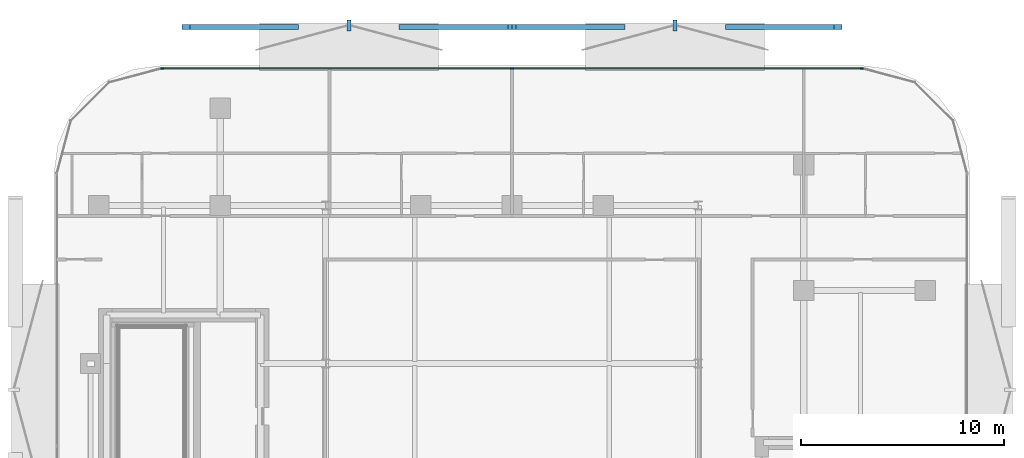
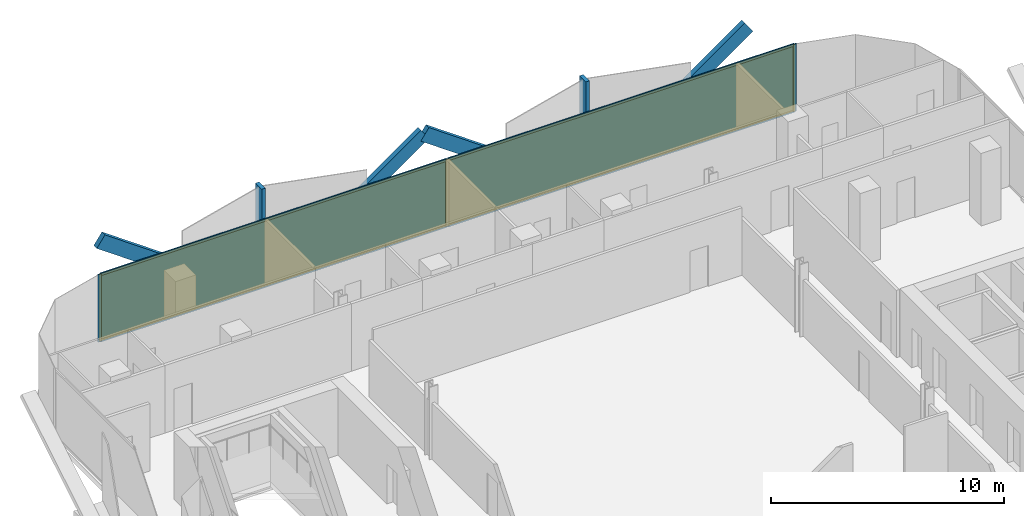
# One storey, part 12 of 17: 13 members, 2 plates, 1 curtain wall.
"""IFC4 building model written with IfcOpenShell, lengths in metres."""

from ifc_helpers import new_model, si_unit, direction, frame, frame_2d, origin, origin_2d, place, context, subcontext, project, spatial, rectangle, extrude, material, layer, layer_set, material_profile, profile_set, type_object, element, aggregate, save


model = new_model("IFC4")

# Units and contexts
model_context = context("Model", 3, precision=1e-05, world=origin(), true_north=direction((0.0, 1.0)))
body_context = subcontext(model_context, "Body", "Model", "MODEL_VIEW")
ifc_project = project(units=[si_unit("LENGTHUNIT", "METRE"), si_unit("AREAUNIT", "SQUARE_METRE"), si_unit("VOLUMEUNIT", "CUBIC_METRE"), si_unit("PLANEANGLEUNIT", "RADIAN"), si_unit("MASSUNIT", "GRAM", prefix="KILO")], contexts=[model_context])

# Member
ifc_material_1 = material(Name="Anodised Bronze Aluminium 6063-T6", Category="aluminium")
ifc_material_profile_1 = material_profile(ifc_material_1, rectangle(XDim=0.260009765625, YDim=0.699951171875, at=origin_2d()))
ifc_profile_set_1 = profile_set([ifc_material_profile_1], Name="Anodised Bronze Aluminium 6063-T6")
member_type_1 = type_object("IfcMemberType", Name="Bronze Diamond Solar-Screen Lattice Rib BDL-700", PredefinedType="MULLION", material=ifc_profile_set_1)
site_placement = place(None, origin())
building_placement = place(site_placement, origin())
storey_placement = place(building_placement, frame((0.0, 0.0, 203.0)))
member_1_placement = place(storey_placement, frame((-5.363525390625, 27.39990234375, -0.1298828125), z_axis=(0.815978490809, 0.0, 0.578082262777), x_axis=(0.0, 1.0, 0.0)))
member_1 = element("IfcMember", 1, at=member_1_placement, type_object=member_type_1, Name="L47 Bronze Diamond Solar Screen Lattice Rib 317A", PredefinedType="MULLION", context=body_context, shape_type="SweptSolid", body=[
    extrude(rectangle(XDim=0.260009765625, YDim=0.699951171875, at=origin_2d()), origin(), (0.0, 0.0, 1.0), 6.5732421875),
])

member_2_placement = place(storey_placement, frame((-10.727294921875, 27.39990234375, -0.1298828125), z_axis=(-0.815978490809, 0.0, 0.578082262777), x_axis=(0.0, -1.0, 0.0)))
member_2 = element("IfcMember", 2, at=member_2_placement, type_object=member_type_1, Name="L47 Bronze Diamond Solar Screen Lattice Rib 317B", PredefinedType="MULLION", context=body_context, shape_type="SweptSolid", body=[
    extrude(rectangle(XDim=0.260009765625, YDim=0.699951171875, at=origin_2d()), origin(), (0.0, 0.0, 1.0), 6.5732421875),
])

member_3_placement = place(storey_placement, frame((10.727294921875, 27.39990234375, -0.1298828125), z_axis=(0.815978490809, 0.0, 0.578082262777), x_axis=(0.0, 1.0, 0.0)))
member_3 = element("IfcMember", 3, at=member_3_placement, type_object=member_type_1, Name="L47 Bronze Diamond Solar Screen Lattice Rib 318A", PredefinedType="MULLION", context=body_context, shape_type="SweptSolid", body=[
    extrude(rectangle(XDim=0.260009765625, YDim=0.699951171875, at=origin_2d()), origin(), (0.0, 0.0, 1.0), 6.5732421875),
])

member_4_placement = place(storey_placement, frame((5.363525390625, 27.39990234375, -0.1298828125), z_axis=(-0.815978490809, 0.0, 0.578082262777), x_axis=(0.0, -1.0, 0.0)))
member_4 = element("IfcMember", 4, at=member_4_placement, type_object=member_type_1, Name="L47 Bronze Diamond Solar Screen Lattice Rib 318B", PredefinedType="MULLION", context=body_context, shape_type="SweptSolid", body=[
    extrude(rectangle(XDim=0.260009765625, YDim=0.699951171875, at=origin_2d()), origin(), (0.0, 0.0, 1.0), 6.5732421875),
])

ifc_material_2 = material(Name="Anodised Bronze Aluminium 6063-T6", Category="aluminium")
ifc_material_profile_2 = material_profile(ifc_material_2, rectangle(XDim=0.179931640625, YDim=0.5400390625, at=origin_2d()))
ifc_profile_set_2 = profile_set([ifc_material_profile_2], Name="Anodised Bronze Aluminium 6063-T6")
member_type_2 = type_object("IfcMemberType", Name="Bronze Solar-Screen Vertical Fold Fin BSF-540", PredefinedType="MULLION", material=ifc_profile_set_2)
member_5_placement = place(storey_placement, frame((-8.04541015625, 27.47998046875, -0.1298828125), z_axis=(0.0, 0.0, 1.0), x_axis=(1.0, 0.0, 0.0)))
member_5 = element("IfcMember", 5, at=member_5_placement, type_object=member_type_2, Name="L47 Bronze Solar Screen Vertical Fin 317", PredefinedType="MULLION", context=body_context, shape_type="SweptSolid", body=[
    extrude(rectangle(XDim=0.179931640625, YDim=0.5400390625, at=origin_2d()), origin(), (0.0, 0.0, 1.0), 3.7998046875),
])

member_6_placement = place(storey_placement, frame((8.04541015625, 27.47998046875, -0.1298828125), z_axis=(0.0, 0.0, 1.0), x_axis=(1.0, 0.0, 0.0)))
member_6 = element("IfcMember", 6, at=member_6_placement, type_object=member_type_2, Name="L47 Bronze Solar Screen Vertical Fin 318", PredefinedType="MULLION", context=body_context, shape_type="SweptSolid", body=[
    extrude(rectangle(XDim=0.179931640625, YDim=0.5400390625, at=origin_2d()), origin(), (0.0, 0.0, 1.0), 3.7998046875),
])

ifc_material_3 = material(Name="Anodised Bronze Aluminium 6063-T6", Category="aluminium")
ifc_material_profile_3 = material_profile(ifc_material_3, rectangle(XDim=0.06005859375, YDim=0.1650390625, at=origin_2d()))
ifc_profile_set_3 = profile_set([ifc_material_profile_3], Name="Anodised Bronze Aluminium 6063-T6")
member_type_3 = type_object("IfcMemberType", Name="CW-Z3 Mullion 60x165", PredefinedType="MULLION", material=ifc_profile_set_3)
member_7_placement = place(storey_placement, frame((-17.2607421875, 25.360107421875, 0.0), z_axis=(0.0, 0.0, 1.0), x_axis=(0.0, 1.0, 0.0)))
member_7 = element("IfcMember", 7, at=member_7_placement, type_object=member_type_3, Name="CW-Z3 mullion 1", PredefinedType="MULLION", context=body_context, shape_type="SweptSolid", body=[
    extrude(rectangle(XDim=0.06005859375, YDim=0.1650390625, at=origin_2d()), origin(), (0.0, 0.0, 1.0), 3.5400390625),
])

member_8_placement = place(storey_placement, frame((0.0, 25.360107421875, 0.0), z_axis=(0.0, 0.0, 1.0), x_axis=(0.0, 1.0, 0.0)))
member_8 = element("IfcMember", 8, at=member_8_placement, type_object=member_type_3, Name="CW-Z3 mullion 2", PredefinedType="MULLION", context=body_context, shape_type="SweptSolid", body=[
    extrude(rectangle(XDim=0.06005859375, YDim=0.1650390625, at=origin_2d()), origin(), (0.0, 0.0, 1.0), 3.5400390625),
])

member_9_placement = place(storey_placement, frame((17.2607421875, 25.360107421875, 0.0), z_axis=(0.0, 0.0, 1.0), x_axis=(0.0, 1.0, 0.0)))
member_9 = element("IfcMember", 9, at=member_9_placement, type_object=member_type_3, Name="CW-Z3 mullion 3", PredefinedType="MULLION", context=body_context, shape_type="SweptSolid", body=[
    extrude(rectangle(XDim=0.06005859375, YDim=0.1650390625, at=origin_2d()), origin(), (0.0, 0.0, 1.0), 3.5400390625),
])

ifc_material_4 = material(Name="Anodised Bronze Aluminium 6063-T6", Category="aluminium")
ifc_material_profile_4 = material_profile(ifc_material_4, rectangle(XDim=0.06005859375, YDim=0.1298828125, at=origin_2d()))
ifc_profile_set_4 = profile_set([ifc_material_profile_4], Name="Anodised Bronze Aluminium 6063-T6")
member_type_4 = type_object("IfcMemberType", Name="CW-Z3 Transom 60x130", PredefinedType="USERDEFINED", material=ifc_profile_set_4)
member_10_placement = place(storey_placement, frame((-17.230712890625, 25.360107421875, 0.030029296875), z_axis=(1.0, 0.0, 0.0), x_axis=(0.0, 1.0, 0.0)))
member_10 = element("IfcMember", 10, at=member_10_placement, type_object=member_type_4, Name="CW-Z3 transom 1.1", ObjectType="TRANSOM", PredefinedType="USERDEFINED", context=body_context, shape_type="SweptSolid", body=[
    extrude(rectangle(XDim=0.06005859375, YDim=0.1298828125, at=origin_2d()), origin(), (0.0, 0.0, 1.0), 17.20068359375),
])

member_11_placement = place(storey_placement, frame((-17.230712890625, 25.360107421875, 3.510009765625), z_axis=(1.0, 0.0, 0.0), x_axis=(0.0, 1.0, 0.0)))
member_11 = element("IfcMember", 11, at=member_11_placement, type_object=member_type_4, Name="CW-Z3 transom 1.2", ObjectType="TRANSOM", PredefinedType="USERDEFINED", context=body_context, shape_type="SweptSolid", body=[
    extrude(rectangle(XDim=0.06005859375, YDim=0.1298828125, at=origin_2d()), origin(), (0.0, 0.0, 1.0), 17.20068359375),
])

member_12_placement = place(storey_placement, frame((0.030029296875, 25.360107421875, 0.030029296875), z_axis=(1.0, 0.0, 0.0), x_axis=(0.0, 1.0, 0.0)))
member_12 = element("IfcMember", 12, at=member_12_placement, type_object=member_type_4, Name="CW-Z3 transom 2.1", ObjectType="TRANSOM", PredefinedType="USERDEFINED", context=body_context, shape_type="SweptSolid", body=[
    extrude(rectangle(XDim=0.06005859375, YDim=0.1298828125, at=origin_2d()), origin(), (0.0, 0.0, 1.0), 17.20068359375),
])

member_13_placement = place(storey_placement, frame((0.030029296875, 25.360107421875, 3.510009765625), z_axis=(1.0, 0.0, 0.0), x_axis=(0.0, 1.0, 0.0)))
member_13 = element("IfcMember", 13, at=member_13_placement, type_object=member_type_4, Name="CW-Z3 transom 2.2", ObjectType="TRANSOM", PredefinedType="USERDEFINED", context=body_context, shape_type="SweptSolid", body=[
    extrude(rectangle(XDim=0.06005859375, YDim=0.1298828125, at=origin_2d()), origin(), (0.0, 0.0, 1.0), 17.20068359375),
])

# Plate
ifc_material_5 = material(Name="Low-E Solar Control Laminated Glass", Category="glass")
ifc_layer_1 = layer(ifc_material_5, 0.030029296875, Name="Low-E Solar Control Laminated Glass")
ifc_layer_set_1 = layer_set([ifc_layer_1], Name="Low-E Solar Control Laminated Glass")
plate_type = type_object("IfcPlateType", Name="CW-Z3 Low-E Double Glazed Panel 30mm", PredefinedType="CURTAIN_PANEL", material=ifc_layer_set_1)
plate_1_placement = place(storey_placement, frame((-8.63037109375, 25.360107421875, 0.06005859375), z_axis=(0.0, 0.0, 1.0), x_axis=(1.0, 0.0, 0.0)))
plate_1 = element("IfcPlate", 14, at=plate_1_placement, type_object=plate_type, Name="CW-Z3 panel 1.1", PredefinedType="CURTAIN_PANEL", context=body_context, shape_type="SweptSolid", body=[
    extrude(rectangle(XDim=17.20068359375, YDim=0.030029296875, at=origin_2d()), origin(), (0.0, 0.0, 1.0), 3.419921875),
])

plate_2_placement = place(storey_placement, frame((8.63037109375, 25.360107421875, 0.06005859375), z_axis=(0.0, 0.0, 1.0), x_axis=(1.0, 0.0, 0.0)))
plate_2 = element("IfcPlate", 15, at=plate_2_placement, type_object=plate_type, Name="CW-Z3 panel 2.1", PredefinedType="CURTAIN_PANEL", context=body_context, shape_type="SweptSolid", body=[
    extrude(rectangle(XDim=17.20068359375, YDim=0.030029296875, at=origin_2d()), origin(), (0.0, 0.0, 1.0), 3.419921875),
])

# Site, building, storey
site = spatial("IfcSite", under=ifc_project, at=site_placement, CompositionType="ELEMENT")
building = spatial("IfcBuilding", under=site, at=building_placement, Name="Khairoan Windgate Tower", CompositionType="ELEMENT")
storey = spatial("IfcBuildingStorey", under=building, at=storey_placement, Name="L47", CompositionType="ELEMENT", Elevation=203.0)

# Curtain wall
ifc_material_6 = material(Name="Anodised Bronze Aluminium 6063-T6", Category="aluminium")
ifc_layer_2 = layer(ifc_material_6, 0.1650390625, Name="Anodised Bronze Aluminium 6063-T6")
ifc_layer_set_2 = layer_set([ifc_layer_2], Name="Anodised Bronze Aluminium 6063-T6")
curtain_wall_type = type_object("IfcCurtainWallType", Name="Luxury Hotel Acoustic Curtain Wall CW-Z3", PredefinedType="NOTDEFINED", material=ifc_layer_set_2)
curtain_wall_placement = place(storey_placement, frame((-17.290771484375, 25.360107421875, 0.0), z_axis=(0.0, 0.0, 1.0), x_axis=(1.0, 0.0, 0.0)))
curtain_wall = element("IfcCurtainWall", 16, at=curtain_wall_placement, inside=storey, type_object=curtain_wall_type, Name="L47 Unitised Curtain Wall 9", PredefinedType="NOTDEFINED", context=body_context, shape_type="SweptSolid", body=[
    extrude(rectangle(XDim=34.58154296875, YDim=0.010009765625, at=frame_2d((17.290771484375, 0.0))), origin(), (0.0, 0.0, 1.0), 3.5400390625),
])

aggregate(curtain_wall, [member_7, member_8, member_9, member_10, member_11, plate_1, member_12, member_13, plate_2, member_1, member_2, member_5, member_3, member_4, member_6])

save(model, "model.ifc")
